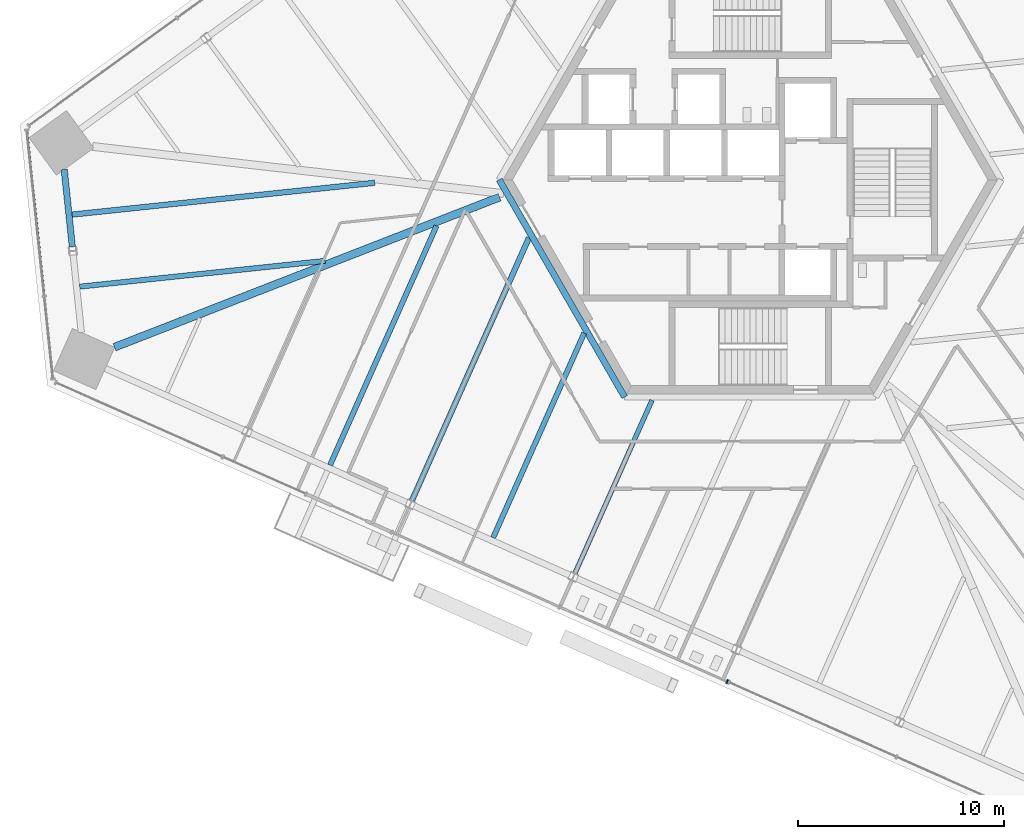
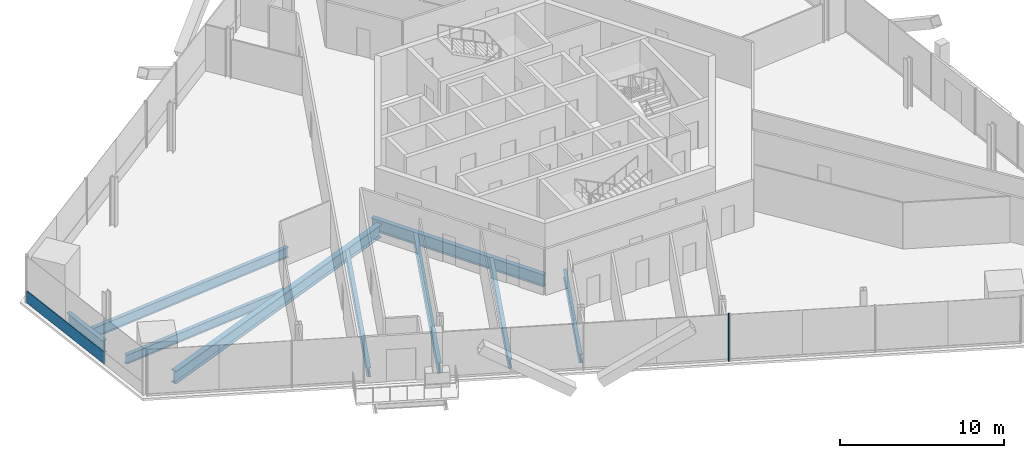
# One storey, part 4 of 19: 9 beams, 2 members, 2 elements without a shape of their own.
"""IFC4 building model written with IfcOpenShell, lengths in metres."""

import ifcopenshell
import ifcopenshell.guid

model = None  # the IFC model being written
_history = None  # IfcOwnerHistory: only IFC2X3 demands one
_inside = {}  # id of a spatial element -> (the spatial element, [elements in it])
_under = {}  # id of a project, library or spatial element -> (it, [spatial elements below it])
_declared = {}  # id of a project -> (the project, [libraries it declares])
_typed = {}  # id of a type object -> (the type object, [elements of that type])
_made_of = {}  # id of a material, layer set ... -> (it, [elements and type objects made of it])


def new_model(schema):
    """Start an empty IFC model of exactly this schema.

    Asked for "IFC4X3", IfcOpenShell would pick the latest addendum, in which some entities
    have other attributes; the version numbers below select the first issue.
    IFC2X3 requires an IfcOwnerHistory on every rooted entity: one is made here for all.
    """
    global model, _history
    if schema == "IFC4X3":
        model = ifcopenshell.file(schema_version=(4, 3, 0, 0))
    else:
        model = ifcopenshell.file(schema=schema)
    _inside.clear()
    _under.clear()
    _declared.clear()
    _typed.clear()
    _made_of.clear()
    _history = None
    if model.schema == "IFC2X3":
        org = make("IfcOrganization", Name="unknown")
        user = make(
            "IfcPersonAndOrganization",
            ThePerson=make("IfcPerson", FamilyName="unknown"),
            TheOrganization=org,
        )
        app = make(
            "IfcApplication",
            ApplicationDeveloper=org,
            Version="unknown",
            ApplicationFullName="unknown",
            ApplicationIdentifier="unknown",
        )
        _history = make(
            "IfcOwnerHistory",
            OwningUser=user,
            OwningApplication=app,
            ChangeAction="ADDED",
            CreationDate=0,
        )
    return model


def make(cls, **values):
    """One entity of the class cls with the attributes given. An attribute that is None is left unset."""
    return model.create_entity(
        cls, **{name: value for name, value in values.items() if value is not None}
    )


def rooted(cls, **values):
    """An entity with a GlobalId (a new one), such as an element, a storey or a relation."""
    return make(cls, GlobalId=ifcopenshell.guid.new(), OwnerHistory=_history, **values)


def si_unit(unit_type, name, prefix=None):
    """IfcSIUnit, for example si_unit("LENGTHUNIT", "METRE", prefix="MILLI")."""
    return make("IfcSIUnit", UnitType=unit_type, Prefix=prefix, Name=name)


def assignment(units):
    """IfcUnitAssignment: the units of a project."""
    return None if units is None else make("IfcUnitAssignment", Units=units)


def point(xyz):
    """IfcCartesianPoint."""
    return None if xyz is None else make("IfcCartesianPoint", Coordinates=xyz)


def direction(xyz):
    """IfcDirection."""
    return None if xyz is None else make("IfcDirection", DirectionRatios=xyz)


def frame(location, z_axis=None, x_axis=None):
    """IfcAxis2Placement3D, a coordinate frame: its origin and axes. An axis left out is left unset."""
    return make(
        "IfcAxis2Placement3D",
        Location=point(location),
        Axis=direction(z_axis),
        RefDirection=direction(x_axis),
    )


def frame_2d(location, x_axis=None):
    """IfcAxis2Placement2D, a coordinate frame in the plane: its origin and x axis."""
    return make(
        "IfcAxis2Placement2D", Location=point(location), RefDirection=direction(x_axis)
    )


def origin():
    """The frame at (0, 0, 0) with its axes left unset."""
    return frame((0.0, 0.0, 0.0))


def origin_2d():
    """The frame at (0, 0) in the plane with its x axis left unset."""
    return frame_2d((0.0, 0.0))


def place(relative_to, where):
    """IfcLocalPlacement: puts the frame where relative to a parent placement (None: the world)."""
    return make(
        "IfcLocalPlacement", PlacementRelTo=relative_to, RelativePlacement=where
    )


def context(
    kind, dimensions, precision=None, world=None, true_north=None, identifier=None
):
    """IfcGeometricRepresentationContext, for example the 3D "Model" context."""
    return make(
        "IfcGeometricRepresentationContext",
        ContextIdentifier=identifier,
        ContextType=kind,
        CoordinateSpaceDimension=dimensions,
        Precision=precision,
        WorldCoordinateSystem=world,
        TrueNorth=true_north,
    )


def subcontext(parent, identifier, kind, view, scale=None):
    """IfcGeometricRepresentationSubContext, for example "Body" below "Model"."""
    return make(
        "IfcGeometricRepresentationSubContext",
        ContextIdentifier=identifier,
        ContextType=kind,
        ParentContext=parent,
        TargetScale=scale,
        TargetView=view,
    )


def project(units=None, contexts=None):
    """IfcProject with its units and contexts."""
    return rooted(
        "IfcProject",
        Name="project",
        RepresentationContexts=contexts,
        UnitsInContext=assignment(units),
    )


def spatial(cls, under=None, at=None, **own):
    """A site, building, storey or space (cls), placed at a placement, below another one or the project."""
    s = rooted(cls, ObjectPlacement=at, **own)
    if under is not None:
        _under.setdefault(under.id(), (under, []))[1].append(s)
    return s


def profile(cls, at=None, kind="AREA", **sizes):
    """A parametric profile (cls). Its sizes go by their IFC names, for example OverallWidth=200.0."""
    return make(cls, ProfileType=kind, Position=at, **sizes)


def rectangle(**sizes):
    """IfcRectangleProfileDef."""
    return profile("IfcRectangleProfileDef", **sizes)


def i_section(**sizes):
    """IfcIShapeProfileDef."""
    return profile("IfcIShapeProfileDef", **sizes)


def extrude(swept, where, along, depth):
    """IfcExtrudedAreaSolid: the profile swept, set in the frame where, extruded along a direction by depth."""
    return make(
        "IfcExtrudedAreaSolid",
        SweptArea=swept,
        Position=where,
        ExtrudedDirection=direction(along),
        Depth=depth,
    )


def shape(context_of_items, identifier, shape_type, items):
    """IfcShapeRepresentation: the items that make up one representation, for example the "Body"."""
    return make(
        "IfcShapeRepresentation",
        ContextOfItems=context_of_items,
        RepresentationIdentifier=identifier,
        RepresentationType=shape_type,
        Items=items,
    )


def source(mapping_origin, context_of_items, identifier, shape_type, items):
    """IfcRepresentationMap: a shape defined once, which mapped items show again and again."""
    return make(
        "IfcRepresentationMap",
        MappingOrigin=mapping_origin,
        MappedRepresentation=shape(context_of_items, identifier, shape_type, items),
    )


def transform(
    local_origin,
    x_axis=None,
    y_axis=None,
    z_axis=None,
    scale=None,
    scale2=None,
    scale3=None,
    uniform=True,
):
    """IfcCartesianTransformationOperator3D, or its non-uniform kind. x_axis, y_axis, z_axis: its Axis1, 2, 3."""
    if uniform:
        return make(
            "IfcCartesianTransformationOperator3D",
            Axis1=direction(x_axis),
            Axis2=direction(y_axis),
            LocalOrigin=point(local_origin),
            Scale=scale,
            Axis3=direction(z_axis),
        )
    return make(
        "IfcCartesianTransformationOperator3DnonUniform",
        Axis1=direction(x_axis),
        Axis2=direction(y_axis),
        LocalOrigin=point(local_origin),
        Scale=scale,
        Axis3=direction(z_axis),
        Scale2=scale2,
        Scale3=scale3,
    )


def mapped(mapping_source, mapping_target):
    """IfcMappedItem: shows the shape of a source again, moved by a transform."""
    return make(
        "IfcMappedItem", MappingSource=mapping_source, MappingTarget=mapping_target
    )


def material(Name=None, Category=None):
    """IfcMaterial."""
    return make("IfcMaterial", Name=Name, Category=Category)


def material_profile(
    of_material, cross_section, Name=None, Category=None, Priority=None
):
    """IfcMaterialProfile: a cross section and its material."""
    return make(
        "IfcMaterialProfile",
        Name=Name,
        Material=of_material,
        Profile=cross_section,
        Priority=Priority,
        Category=Category,
    )


def profile_set(profiles, Name=None, composite=None):
    """IfcMaterialProfileSet."""
    return make(
        "IfcMaterialProfileSet",
        Name=Name,
        MaterialProfiles=profiles,
        CompositeProfile=composite,
    )


def made_of(thing, what):
    """Note that an element or type object is made of a material, layer set ...; save() writes the relation."""
    if what is not None:
        _made_of.setdefault(what.id(), (what, []))[1].append(thing)
    return thing


def type_object(cls, material=None, **own):
    """A type object (cls), such as IfcWallType, which elements share."""
    return made_of(rooted(cls, **own), material)


def element(
    cls,
    number,
    at=None,
    inside=None,
    cuts=None,
    type_object=None,
    material=None,
    context=None,
    identifier="Body",
    shape_type=None,
    held_by="IfcProductDefinitionShape",
    body=None,
    shapes=None,
    **own,
):
    """One element of the class cls, such as IfcWall. Its Tag is "e" and its number.

    at: its placement. inside: the storey or other place that contains it. cuts: it is an
    opening in that element (IfcRelVoidsElement). A single representation is given by context,
    identifier, shape_type and body (its items); several are given by shapes. held_by: the class
    of the entity that holds the representations. save() writes the other relations.
    """
    e = rooted(cls, Tag="e%d" % number, ObjectPlacement=at, **own)
    if body is not None:
        shapes = [shape(context, identifier, shape_type, body)]
    if shapes is not None:
        e.Representation = make(held_by, Representations=shapes)
    if inside is not None:
        _inside.setdefault(inside.id(), (inside, []))[1].append(e)
    if cuts is not None:
        rooted(
            "IfcRelVoidsElement", RelatingBuildingElement=cuts, RelatedOpeningElement=e
        )
    if type_object is not None:
        _typed.setdefault(type_object.id(), (type_object, []))[1].append(e)
    return made_of(e, material)


def aggregate(whole, parts):
    """IfcRelAggregates: a whole, such as a stair, and the parts it consists of."""
    return rooted("IfcRelAggregates", RelatingObject=whole, RelatedObjects=parts)


def save(model, path):
    """Write the relations noted so far, then the file.

    IfcRelAggregates (storeys below a building ...), IfcRelContainedInSpatialStructure (elements
    in a storey), IfcRelDefinesByType, IfcRelAssociatesMaterial and IfcRelDeclares: one each for
    every whole, place, type object, material and project.
    """
    for whole, parts in _under.values():
        aggregate(whole, parts)
    for where, things in _inside.values():
        rooted(
            "IfcRelContainedInSpatialStructure",
            RelatedElements=things,
            RelatingStructure=where,
        )
    for kind, things in _typed.values():
        rooted("IfcRelDefinesByType", RelatedObjects=things, RelatingType=kind)
    for what, things in _made_of.values():
        rooted("IfcRelAssociatesMaterial", RelatedObjects=things, RelatingMaterial=what)
    for by, libraries in _declared.values():
        rooted("IfcRelDeclares", RelatingContext=by, RelatedDefinitions=libraries)
    model.write(path)


model = new_model("IFC4")

# Units and contexts
model_context = context("Model", 3, precision=1e-05, world=origin(), true_north=direction((0.0, 1.0)))
body_context = subcontext(model_context, "Body", "Model", "MODEL_VIEW")
ifc_project = project(units=[si_unit("LENGTHUNIT", "METRE"), si_unit("AREAUNIT", "SQUARE_METRE"), si_unit("VOLUMEUNIT", "CUBIC_METRE"), si_unit("PLANEANGLEUNIT", "RADIAN"), si_unit("MASSUNIT", "GRAM", prefix="KILO")], contexts=[model_context])

# Site, building, storey
site_placement = place(None, origin())
site = spatial("IfcSite", under=ifc_project, at=site_placement, CompositionType="ELEMENT")
building_placement = place(site_placement, origin())
building = spatial("IfcBuilding", under=site, at=building_placement, Name="Triune Harvest Tower", CompositionType="ELEMENT")
storey_placement = place(building_placement, frame((0.0, 0.0, 76.5)))
storey = spatial("IfcBuildingStorey", under=building, at=storey_placement, Name="L18", CompositionType="ELEMENT", Elevation=76.5)

# Beams
ifc_material_1 = material(Name="Steel ASTM A992 Gr 50", Category="steel")
ifc_material_profile_1 = material_profile(ifc_material_1, i_section(OverallWidth=0.3046875, OverallDepth=0.914306640625, WebThickness=0.0166015625, FlangeThickness=0.02587890625, at=origin_2d()), Name="W36x160")
ifc_profile_set_1 = profile_set([ifc_material_profile_1], Name="Steel ASTM A992 Gr 50")
beam_type_1 = type_object("IfcBeamType", Name="CG-1 Core ring girder W36x160", PredefinedType="BEAM", material=ifc_profile_set_1)
shared_shape_1 = source(origin(), body_context, "Body", "SweptSolid", [
    extrude(i_section(OverallWidth=0.3046875, OverallDepth=0.914306640625, WebThickness=0.0166015625, FlangeThickness=0.02587890625, at=origin_2d()), origin(), (0.0, 0.0, 1.0), 12.176025390625),
])
beam_1_placement = place(storey_placement, frame((-12.176025390625, 0.0, -0.6171875), z_axis=(0.5000099932, -0.866019634131, 0.0), x_axis=(0.866019634131, 0.5000099932, 0.0)))
element("IfcBeam", 1, at=beam_1_placement, inside=storey, type_object=beam_type_1, Name="beam/L18/CG4", PredefinedType="BEAM", context=body_context, shape_type="MappedRepresentation", body=[
    mapped(shared_shape_1, transform((0.0, 0.0, 0.0), scale=1.0)),
])
ifc_material_2 = material(Name="Steel ASTM A992 Gr 50", Category="steel")
ifc_material_profile_2 = material_profile(ifc_material_2, i_section(OverallWidth=0.3046875, OverallDepth=0.914306640625, WebThickness=0.0166015625, FlangeThickness=0.02587890625, at=origin_2d()), Name="W36x160")
ifc_profile_set_2 = profile_set([ifc_material_profile_2], Name="Steel ASTM A992 Gr 50")
beam_type_2 = type_object("IfcBeamType", Name="SB-1 Spandrel beam W36x160", PredefinedType="SPANDREL", material=ifc_profile_set_2)
shared_shape_2 = source(origin(), body_context, "Body", "SweptSolid", [
    extrude(i_section(OverallWidth=0.3046875, OverallDepth=0.914306640625, WebThickness=0.0166015625, FlangeThickness=0.02587890625, at=origin_2d()), origin(), (0.0, 0.0, 1.0), 3.775146484375),
])
beam_2_placement = place(storey_placement, frame((-33.28564453125, 0.497802734375, -0.6171875), z_axis=(0.104509725916, -0.994523864565, 0.0), x_axis=(0.994523864565, 0.104509725916, 0.0)))
element("IfcBeam", 2, at=beam_2_placement, inside=storey, type_object=beam_type_2, Name="beam/L18/SB15", PredefinedType="SPANDREL", context=body_context, shape_type="MappedRepresentation", body=[
    mapped(shared_shape_2, transform((0.0, 0.0, 0.0), scale=1.0)),
])
ifc_material_3 = material(Name="Steel ASTM A992 Gr 50", Category="steel")
ifc_material_profile_3 = material_profile(ifc_material_3, i_section(OverallWidth=0.383544921875, OverallDepth=0.9423828125, WebThickness=0.022216796875, FlangeThickness=0.039794921875, at=origin_2d()), Name="W36x232")
ifc_profile_set_3 = profile_set([ifc_material_profile_3], Name="Steel ASTM A992 Gr 50")
beam_type_3 = type_object("IfcBeamType", Name="HG-1 Hip girder W36x232", PredefinedType="BEAM", material=ifc_profile_set_3)
shared_shape_3 = source(origin(), body_context, "Body", "SweptSolid", [
    extrude(i_section(OverallWidth=0.383544921875, OverallDepth=0.9423828125, WebThickness=0.022216796875, FlangeThickness=0.039794921875, at=origin_2d()), origin(), (0.0, 0.0, 1.0), 20.054443359375),
])
beam_3_placement = place(storey_placement, frame((-30.84423828125, -8.12451171875, -0.631103515625), z_axis=(0.931737115777, 0.363133511374, 0.0), x_axis=(-0.363133511374, 0.931737115777, 0.0)))
element("IfcBeam", 3, at=beam_3_placement, inside=storey, type_object=beam_type_3, Name="beam/L18/HG6", PredefinedType="BEAM", context=body_context, shape_type="MappedRepresentation", body=[
    mapped(shared_shape_3, transform((0.0, 0.0, 0.0), scale=1.0)),
])
ifc_material_4 = material(Name="Steel ASTM A992 Gr 50", Category="steel")
ifc_material_profile_4 = material_profile(ifc_material_4, i_section(OverallWidth=0.253662109375, OverallDepth=0.683349609375, WebThickness=0.012451171875, FlangeThickness=0.01904296875, at=origin_2d()), Name="W27x94")
ifc_profile_set_4 = profile_set([ifc_material_profile_4], Name="Steel ASTM A992 Gr 50")
beam_type_4 = type_object("IfcBeamType", Name="JT-4 Floor joist W27x94", PredefinedType="JOIST", material=ifc_profile_set_4)
shared_shape_4 = source(origin(), body_context, "Body", "SweptSolid", [
    extrude(i_section(OverallWidth=0.253662109375, OverallDepth=0.683349609375, WebThickness=0.012451171875, FlangeThickness=0.01904296875, at=origin_2d()), origin(), (0.0, 0.0, 1.0), 10.864501953125),
])
beam_4_placement = place(storey_placement, frame((-12.473876953125, -17.3681640625, -0.501708984375), z_axis=(0.406757614722, 0.913536120176, 0.0), x_axis=(-0.913536120176, 0.406757614722, 0.0)))
element("IfcBeam", 4, at=beam_4_placement, inside=storey, type_object=beam_type_4, Name="beam/L18/JT31", PredefinedType="JOIST", context=body_context, shape_type="MappedRepresentation", body=[
    mapped(shared_shape_4, transform((0.0, 0.0, 0.0), scale=1.0)),
])
shared_shape_5 = source(origin(), body_context, "Body", "SweptSolid", [
    extrude(i_section(OverallWidth=0.253662109375, OverallDepth=0.683349609375, WebThickness=0.012451171875, FlangeThickness=0.01904296875, at=origin_2d()), origin(), (0.0, 0.0, 1.0), 12.701904296875),
])
beam_5_placement = place(storey_placement, frame((-20.38720703125, -13.844970703125, -0.501708984375), z_axis=(0.406748285801, 0.913540273879, 0.0), x_axis=(-0.913540273879, 0.406748285801, 0.0)))
element("IfcBeam", 5, at=beam_5_placement, inside=storey, type_object=beam_type_4, Name="beam/L18/JT29", PredefinedType="JOIST", context=body_context, shape_type="MappedRepresentation", body=[
    mapped(shared_shape_5, transform((0.0, 0.0, 0.0), scale=1.0)),
])
ifc_material_5 = material(Name="Steel ASTM A992 Gr 50", Category="steel")
ifc_material_profile_5 = material_profile(ifc_material_5, i_section(OverallWidth=0.2666015625, OverallDepth=0.7568359375, WebThickness=0.013916015625, FlangeThickness=0.019287109375, at=origin_2d()), Name="W30x108")
ifc_profile_set_5 = profile_set([ifc_material_profile_5], Name="Steel ASTM A992 Gr 50")
beam_type_5 = type_object("IfcBeamType", Name="JT-5 Floor joist W30x108", PredefinedType="JOIST", material=ifc_profile_set_5)
shared_shape_6 = source(origin(), body_context, "Body", "SweptSolid", [
    extrude(i_section(OverallWidth=0.2666015625, OverallDepth=0.7568359375, WebThickness=0.013916015625, FlangeThickness=0.019287109375, at=origin_2d()), origin(), (0.0, 0.0, 1.0), 14.7666015625),
])
beam_6_placement = place(storey_placement, frame((-32.90234375, -1.690673828125, -0.53857421875), z_axis=(0.994522471236, 0.10452298411, 0.0), x_axis=(-0.10452298411, 0.994522471236, 0.0)))
element("IfcBeam", 6, at=beam_6_placement, inside=storey, type_object=beam_type_5, Name="beam/L18/JT25", PredefinedType="JOIST", context=body_context, shape_type="MappedRepresentation", body=[
    mapped(shared_shape_6, transform((0.0, 0.0, 0.0), scale=1.0)),
])
shared_shape_7 = source(origin(), body_context, "Body", "SweptSolid", [
    extrude(i_section(OverallWidth=0.253662109375, OverallDepth=0.683349609375, WebThickness=0.012451171875, FlangeThickness=0.01904296875, at=origin_2d()), origin(), (0.0, 0.0, 1.0), 11.9775390625),
])
beam_7_placement = place(storey_placement, frame((-32.534912109375, -5.18701171875, -0.501708984375), z_axis=(0.994522193593, 0.104525625807, 0.0), x_axis=(-0.104525625807, 0.994522193593, 0.0)))
element("IfcBeam", 7, at=beam_7_placement, inside=storey, type_object=beam_type_4, Name="beam/L18/JT26", PredefinedType="JOIST", context=body_context, shape_type="MappedRepresentation", body=[
    mapped(shared_shape_7, transform((0.0, 0.0, 0.0), scale=1.0)),
])
shared_shape_8 = source(origin(), body_context, "Body", "SweptSolid", [
    extrude(i_section(OverallWidth=0.2666015625, OverallDepth=0.7568359375, WebThickness=0.013916015625, FlangeThickness=0.019287109375, at=origin_2d()), origin(), (0.0, 0.0, 1.0), 13.966796875),
])
beam_8_placement = place(storey_placement, frame((-16.412353515625, -15.56591796875, -0.53857421875), z_axis=(0.406743331023, 0.913542479948, 0.0), x_axis=(-0.913542479948, 0.406743331023, 0.0)))
element("IfcBeam", 8, at=beam_8_placement, inside=storey, type_object=beam_type_5, Name="beam/L18/JT30", PredefinedType="JOIST", context=body_context, shape_type="MappedRepresentation", body=[
    mapped(shared_shape_8, transform((0.0, 0.0, 0.0), scale=1.0)),
])
ifc_material_6 = material(Name="Steel ASTM A992 Gr 50", Category="steel")
ifc_material_profile_6 = material_profile(ifc_material_6, i_section(OverallWidth=0.22900390625, OverallDepth=0.612060546875, WebThickness=0.011962890625, FlangeThickness=0.01953125, at=origin_2d()), Name="W24x84")
ifc_profile_set_6 = profile_set([ifc_material_profile_6], Name="Steel ASTM A992 Gr 50")
beam_type_6 = type_object("IfcBeamType", Name="JT-3 Floor joist W24x84", PredefinedType="JOIST", material=ifc_profile_set_6)
shared_shape_9 = source(origin(), body_context, "Body", "SweptSolid", [
    extrude(i_section(OverallWidth=0.22900390625, OverallDepth=0.612060546875, WebThickness=0.011962890625, FlangeThickness=0.01953125, at=origin_2d()), origin(), (0.0, 0.0, 1.0), 9.1865234375),
])
beam_9_placement = place(storey_placement, frame((-8.4990234375, -19.08935546875, -0.466064453125), z_axis=(0.406720317643, 0.913552726019, 0.0), x_axis=(-0.913552726019, 0.406720317643, 0.0)))
element("IfcBeam", 9, at=beam_9_placement, inside=storey, type_object=beam_type_6, Name="beam/L18/JT32", PredefinedType="JOIST", context=body_context, shape_type="MappedRepresentation", body=[
    mapped(shared_shape_9, transform((0.0, 0.0, 0.0), scale=1.0)),
])

# Curtain wall, member
ifc_material_7 = material(Name="Aluminium bronze anodised", Category="aluminium")
curtain_wall_type_1 = type_object("IfcCurtainWallType", Name="CW-1 Tower stick curtain wall", PredefinedType="NOTDEFINED", material=ifc_material_7)
curtain_wall_1_placement = place(storey_placement, origin())
curtain_wall_1 = element("IfcCurtainWall", 10, at=curtain_wall_1_placement, inside=storey, type_object=curtain_wall_type_1, Name="CW-1 B2-F4 L18 run 1")
ifc_material_8 = material(Name="Aluminium bronze anodised", Category="aluminium")
ifc_material_profile_7 = material_profile(ifc_material_8, rectangle(XDim=0.090087890625, YDim=0.89990234375, at=origin_2d()), Name="TR-1 transom 90 x 900")
ifc_profile_set_7 = profile_set([ifc_material_profile_7], Name="Aluminium bronze anodised")
member_type_1 = type_object("IfcMemberType", Name="TR-1 transom 90 x 900", PredefinedType="USERDEFINED", material=ifc_profile_set_7)
shared_shape_10 = source(origin(), body_context, "Body", "SweptSolid", [
    extrude(rectangle(XDim=0.090087890625, YDim=0.89990234375, at=origin_2d()), origin(), (0.0, 0.0, 1.0), 8.0341796875),
])
member_1_placement = place(storey_placement, frame((-35.09765625, 2.37939453125, 0.449951171875), z_axis=(0.104532929154, -0.994521425975, 0.0), x_axis=(0.994521425975, 0.104532929154, 0.0)))
member_1 = element("IfcMember", 11, at=member_1_placement, type_object=member_type_1, Name="CW-1 transom B2-F4 1.1", ObjectType="TRANSOM", PredefinedType="USERDEFINED", context=body_context, shape_type="MappedRepresentation", body=[
    mapped(shared_shape_10, transform((0.0, 0.0, 0.0), scale=1.0)),
])
aggregate(curtain_wall_1, [member_1])

ifc_material_9 = material(Name="Aluminium bronze anodised", Category="aluminium")
curtain_wall_type_2 = type_object("IfcCurtainWallType", Name="CW-10 Balcony window wall with insulated spandrel infill", PredefinedType="NOTDEFINED", material=ifc_material_9)
curtain_wall_2_placement = place(storey_placement, origin())
curtain_wall_2 = element("IfcCurtainWall", 12, at=curtain_wall_2_placement, inside=storey, type_object=curtain_wall_type_2, Name="CW-10 B2-F5 L18 run 2")
ifc_material_10 = material(Name="Aluminium bronze anodised", Category="aluminium")
ifc_material_profile_8 = material_profile(ifc_material_10, rectangle(XDim=0.199951171875, YDim=0.074951171875, at=origin_2d()), Name="MU-6 mullion 75 x 200")
ifc_profile_set_8 = profile_set([ifc_material_profile_8], Name="Aluminium bronze anodised")
member_type_2 = type_object("IfcMemberType", Name="MU-6 mullion 75 x 200", PredefinedType="MULLION", material=ifc_profile_set_8)
shared_shape_11 = source(origin(), body_context, "Body", "SweptSolid", [
    extrude(rectangle(XDim=0.199951171875, YDim=0.074951171875, at=origin_2d()), origin(), (0.0, 0.0, 1.0), 3.43994140625),
])
member_2_placement = place(storey_placement, frame((-1.11181640625, -24.350830078125, 0.0), z_axis=(0.0, 0.0, 1.0), x_axis=(0.406737155783, 0.91354522937, 0.0)))
member_2 = element("IfcMember", 13, at=member_2_placement, type_object=member_type_2, Name="CW-10 mullion B2-F5 2.5", PredefinedType="MULLION", context=body_context, shape_type="MappedRepresentation", body=[
    mapped(shared_shape_11, transform((0.0, 0.0, 0.0), scale=1.0)),
])
aggregate(curtain_wall_2, [member_2])

save(model, "model.ifc")
